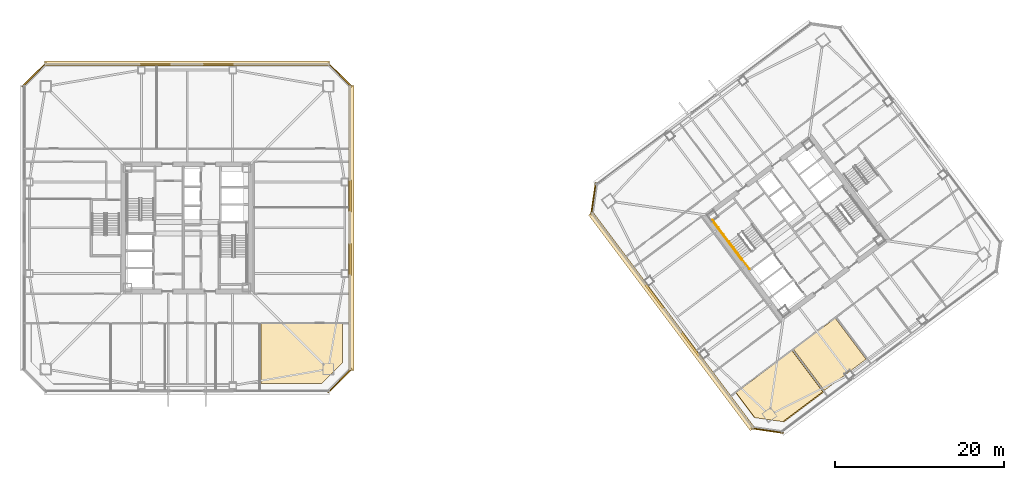
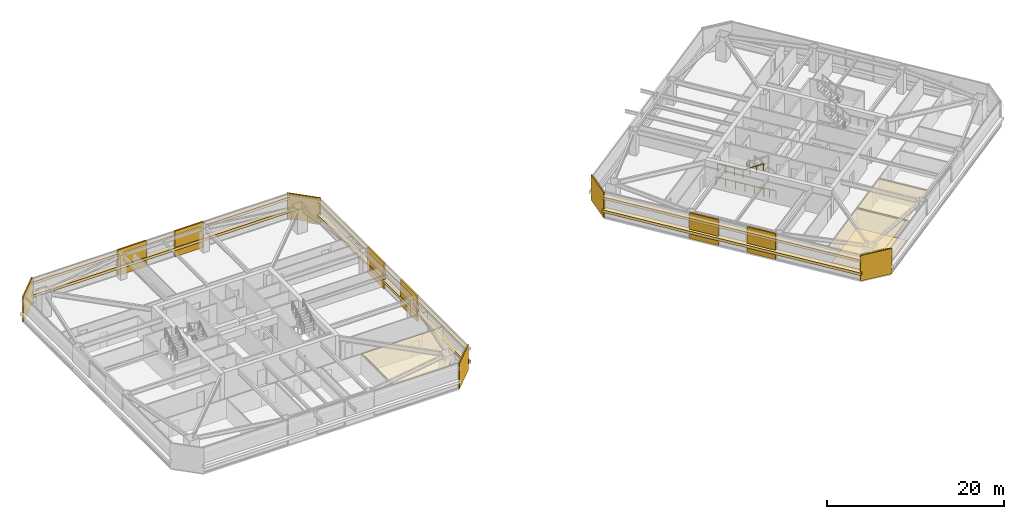
# One storey, part 39 of 42: 21 coverings, 4 railings.
"""IFC4 building model written with IfcOpenShell, lengths in metres."""

from ifc_helpers import new_model, si_unit, direction, frame, origin, origin_2d, place, context, subcontext, project, spatial, polyline, rectangle, outline, extrude, material, layer, layer_set, type_object, element, save


model = new_model("IFC4")

# Units and contexts
model_context = context("Model", 3, precision=1e-05, world=origin(), true_north=direction((0.0, 1.0)))
body_context = subcontext(model_context, "Body", "Model", "MODEL_VIEW")
ifc_project = project(units=[si_unit("LENGTHUNIT", "METRE"), si_unit("AREAUNIT", "SQUARE_METRE"), si_unit("VOLUMEUNIT", "CUBIC_METRE"), si_unit("PLANEANGLEUNIT", "RADIAN"), si_unit("MASSUNIT", "GRAM", prefix="KILO")], contexts=[model_context])

# Site, building, storey
site_placement = place(None, origin())
site = spatial("IfcSite", under=ifc_project, at=site_placement, CompositionType="ELEMENT")
building_placement = place(site_placement, origin())
building = spatial("IfcBuilding", under=site, at=building_placement, Name="Tashvorn Skyway Center", CompositionType="ELEMENT")
storey_placement = place(building_placement, frame((0.0, 0.0, 121.5)))
storey = spatial("IfcBuildingStorey", under=building, at=storey_placement, Name="L32", CompositionType="ELEMENT", Elevation=121.5)

# Coverings
ifc_material_1 = material(Name="Precast concrete C40/50", Category="concrete")
ifc_layer_1 = layer(ifc_material_1, 0.199951171875)
ifc_layer_set_1 = layer_set([ifc_layer_1], Name="Precast concrete C40/50")
covering_type_1 = type_object("IfcCoveringType", Name="COV-BRACE-CLAD", PredefinedType="CLADDING", material=ifc_layer_set_1)
for number, where, z_axis, x_axis, name in (
    (1, (38.271240234375, 51.280029296875, 0.0), (0.0, 0.0, 1.0), (1.0, 0.0, 0.0), "Tower 1 L32 North Unitised Curtain Wall Mega-Brace Cladding Band 1"),
    (2, (45.728759765625, 51.280029296875, 0.0), (0.0, 0.0, 1.0), (1.0, 0.0, 0.0), "Tower 1 L32 North Unitised Curtain Wall Mega-Brace Cladding Band 2"),
    (3, (61.280029296875, 35.728759765625, 0.0), (0.0, 0.0, 1.0), (0.0, -1.0, 0.0), "Tower 1 L32 East Unitised Curtain Wall Mega-Brace Cladding Band 1"),
    (4, (61.280029296875, 28.271240234375, 0.0), (0.0, 0.0, 1.0), (0.0, -1.0, 0.0), "Tower 1 L32 East Unitised Curtain Wall Mega-Brace Cladding Band 2"),
):
    element("IfcCovering", number, at=place(storey_placement, frame(where, z_axis=z_axis, x_axis=x_axis)), inside=storey, type_object=covering_type_1, Name=name, PredefinedType="CLADDING", context=body_context, shape_type="SweptSolid", body=[
        extrude(rectangle(XDim=3.72900390625, YDim=0.199951171875, at=origin_2d()), origin(), (0.0, 0.0, 1.0), 3.550048828125),
    ])
for number, where, z_axis, x_axis, name in (
    (5, (101.493408203125, 18.208740234375, 0.0), (0.0, 0.0, 1.0), (-0.600000004945, 0.799999996291, 0.0), "Tower 2 L32 West Unitised Curtain Wall Mega-Brace Cladding Band 1"),
    (6, (97.258544921875, 23.855224609375, 0.0), (0.0, 0.0, 1.0), (-0.600000004945, 0.799999996291, 0.0), "Tower 2 L32 West Unitised Curtain Wall Mega-Brace Cladding Band 2"),
):
    element("IfcCovering", number, at=place(storey_placement, frame(where, z_axis=z_axis, x_axis=x_axis)), inside=storey, type_object=covering_type_1, Name=name, PredefinedType="CLADDING", context=body_context, shape_type="SweptSolid", body=[
        extrude(rectangle(XDim=3.52880859375, YDim=0.199951171875, at=origin_2d()), origin(), (0.0, 0.0, 1.0), 3.550048828125),
    ])
ifc_material_2 = material(Name="Mineral-fibre acoustic ceiling tile on suspended grid")
ifc_layer_2 = layer(ifc_material_2, 0.02001953125)
ifc_layer_set_2 = layer_set([ifc_layer_2], Name="Mineral-fibre acoustic ceiling tile on suspended grid")
covering_type_2 = type_object("IfcCoveringType", Name="COV-CEIL-20", PredefinedType="CEILING", material=ifc_layer_set_2)
covering_1_placement = place(storey_placement, frame((0.0, 0.0, 2.702880859375)))
element("IfcCovering", 7, at=covering_1_placement, inside=storey, type_object=covering_type_2, Name="Tower 1 L32 Open Plan Office Acoustic Ceiling", PredefinedType="CEILING", context=body_context, shape_type="SweptSolid", body=[
    extrude(outline(polyline([(50.719970703125, 13.6201171875), (50.719970703125, 20.68994140625), (60.3798828125, 20.68994140625), (60.3798828125, 16.080078125), (57.919921875, 13.6201171875), (50.719970703125, 13.6201171875)])), origin(), (0.0, 0.0, 1.0), 0.02001953125),
])
covering_2_placement = place(storey_placement, frame((0.0, 0.0, 2.702880859375)))
element("IfcCovering", 8, at=covering_2_placement, inside=storey, type_object=covering_type_2, Name="Tower 2 L32 Executive Study Lounge Acoustic Ceiling", PredefinedType="CEILING", context=body_context, shape_type="SweptSolid", body=[
    extrude(outline(polyline([(106.882080078125, 12.52392578125), (113.489990234375, 17.47998046875), (117.132080078125, 12.6240234375), (112.412109375, 9.083984375), (109.10791015625, 9.555908203125), (106.882080078125, 12.52392578125)])), origin(), (0.0, 0.0, 1.0), 0.02001953125),
])
covering_3_placement = place(storey_placement, frame((0.0, 0.0, 2.702880859375)))
element("IfcCovering", 9, at=covering_3_placement, inside=storey, type_object=covering_type_2, Name="Tower 2 L32 Design Studio Acoustic Ceiling", PredefinedType="CEILING", context=body_context, shape_type="SweptSolid", body=[
    extrude(outline(polyline([(113.681884765625, 17.6240234375), (118.610107421875, 21.320068359375), (122.251953125, 16.464111328125), (117.323974609375, 12.76806640625), (113.681884765625, 17.6240234375)])), origin(), (0.0, 0.0, 1.0), 0.02001953125),
])
ifc_material_3 = material(Name="Polished Mojave desert-aggregate terrazzo and cover plate")
ifc_layer_3 = layer(ifc_material_3, 0.0400390625)
ifc_layer_set_3 = layer_set([ifc_layer_3], Name="Polished Mojave desert-aggregate terrazzo and cover plate")
covering_type_3 = type_object("IfcCoveringType", Name="COV-FLR-40", PredefinedType="FLOORING", material=ifc_layer_set_3)
covering_4_placement = place(storey_placement, origin())
element("IfcCovering", 10, at=covering_4_placement, inside=storey, type_object=covering_type_3, Name="Tower 2 L32 Executive Study Lounge Finish Flooring", PredefinedType="FLOORING", context=body_context, shape_type="SweptSolid", body=[
    extrude(outline(polyline([(112.580078125, 9.06005859375), (109.052001953125, 9.56396484375), (106.8740234375, 12.468017578125), (113.5458984375, 17.471923828125), (117.236083984375, 12.552001953125), (112.580078125, 9.06005859375)])), origin(), (0.0, 0.0, 1.0), 0.0400390625),
])
ifc_material_4 = material(Name="Perforated ceramic-coated bronze aluminium solar screen", Category="aluminium")
ifc_layer_4 = layer(ifc_material_4, 0.85009765625)
ifc_layer_set_4 = layer_set([ifc_layer_4], Name="Perforated ceramic-coated bronze aluminium solar screen")
covering_type_4 = type_object("IfcCoveringType", Name="COV-SOLAR-BAND", PredefinedType="CLADDING", material=ifc_layer_set_4)
for number, where, z_axis, x_axis, name in (
    (11, (42.0, 51.419921875, 0.919921875), (0.0, 0.0, 1.0), (1.0, 0.0, 0.0), "L32 Perforated Ceramic-Metal Solar Screen Louvre Band North 1"),
    (12, (42.0, 51.419921875, 2.7197265625), (0.0, 0.0, 1.0), (1.0, 0.0, 0.0), "L32 Perforated Ceramic-Metal Solar Screen Louvre Band North 2"),
    (13, (61.419921875, 32.0, 0.919921875), (0.0, 0.0, 1.0), (0.0, -1.0, 0.0), "L32 Perforated Ceramic-Metal Solar Screen Louvre Band East 1"),
    (14, (61.419921875, 32.0, 2.7197265625), (0.0, 0.0, 1.0), (0.0, -1.0, 0.0), "L32 Perforated Ceramic-Metal Solar Screen Louvre Band East 2"),
):
    element("IfcCovering", number, at=place(storey_placement, frame(where, z_axis=z_axis, x_axis=x_axis)), inside=storey, type_object=covering_type_4, Name=name, PredefinedType="CLADDING", context=body_context, shape_type="SweptSolid", body=[
        extrude(rectangle(XDim=33.679931640625, YDim=0.639892578125, at=origin_2d()), origin(), (0.0, 0.0, 1.0), 0.360107421875),
    ])
for number, where, z_axis, x_axis, name in (
    (15, (99.263916015625, 20.947998046875, 0.919921875), (0.0, 0.0, 1.0), (-0.600000004945, 0.799999996291, 0.0), "L32 Perforated Ceramic-Metal Solar Screen Louvre Band West 1"),
    (16, (99.263916015625, 20.947998046875, 2.7197265625), (0.0, 0.0, 1.0), (-0.600000004945, 0.799999996291, 0.0), "L32 Perforated Ceramic-Metal Solar Screen Louvre Band West 2"),
):
    element("IfcCovering", number, at=place(storey_placement, frame(where, z_axis=z_axis, x_axis=x_axis)), inside=storey, type_object=covering_type_4, Name=name, PredefinedType="CLADDING", context=body_context, shape_type="SweptSolid", body=[
        extrude(rectangle(XDim=31.8798828125, YDim=0.639892578125, at=origin_2d()), origin(), (0.0, 0.0, 1.0), 0.360107421875),
    ])
ifc_layer_5 = layer(ifc_material_1, 0.35009765625)
ifc_layer_set_5 = layer_set([ifc_layer_5], Name="Precast concrete C40/50")
covering_type_5 = type_object("IfcCoveringType", Name="COV-STONE-TRIM", PredefinedType="CLADDING", material=ifc_layer_set_5)
for number, where, z_axis, x_axis, name in (
    (17, (23.929931640625, 50.070068359375, 0.02001953125), (0.0, 0.0, 1.0), (-0.707106781187, -0.707106781187, 0.0), "Tower 1 L32 NW Mojave Limestone Corner Quoin"),
    (18, (60.070068359375, 50.070068359375, 0.02001953125), (0.0, 0.0, 1.0), (0.707106781187, -0.707106781187, 0.0), "Tower 1 L32 NE Mojave Limestone Corner Quoin"),
    (19, (60.070068359375, 13.929931640625, 0.02001953125), (0.0, 0.0, 1.0), (0.707106781187, 0.707106781187, 0.0), "Tower 1 L32 SE Mojave Limestone Corner Quoin"),
):
    element("IfcCovering", number, at=place(storey_placement, frame(where, z_axis=z_axis, x_axis=x_axis)), inside=storey, type_object=covering_type_5, Name=name, PredefinedType="CLADDING", context=body_context, shape_type="SweptSolid", body=[
        extrude(rectangle(XDim=3.978515625, YDim=0.139892578125, at=origin_2d()), origin(), (0.0, 0.0, 1.0), 3.510009765625),
    ])
for number, where, z_axis, x_axis, name in (
    (20, (110.575927734375, 8.031982421875, 0.02001953125), (0.0, 0.0, 1.0), (-0.989949494535, 0.141421350118, 0.0), "Tower 2 L32 SW Mojave Limestone Corner Quoin"),
    (21, (90.031982421875, 35.424072265625, 0.02001953125), (0.0, 0.0, 1.0), (-0.141421350118, -0.989949494535, 0.0), "Tower 2 L32 NW Mojave Limestone Corner Quoin"),
):
    element("IfcCovering", number, at=place(storey_placement, frame(where, z_axis=z_axis, x_axis=x_axis)), inside=storey, type_object=covering_type_5, Name=name, PredefinedType="CLADDING", context=body_context, shape_type="SweptSolid", body=[
        extrude(rectangle(XDim=3.8369140625, YDim=0.139892578125, at=origin_2d()), origin(), (0.0, 0.0, 1.0), 3.510009765625),
    ])

# Railings
ifc_material_5 = material(Name="Brushed stainless steel 316", Category="steel")
railing_type_1 = type_object("IfcRailingType", Name="RAIL-HAND-920", PredefinedType="HANDRAIL", material=ifc_material_5)
railing_1_placement = place(storey_placement, frame((106.072021484375, 30.35400390625, 1.952392578125)))
element("IfcRailing", 22, at=railing_1_placement, inside=storey, type_object=railing_type_1, Name="L32 ST-T2-1 stair handrail 2", PredefinedType="HANDRAIL", context=body_context, shape_type="SweptSolid", body=[
    extrude(rectangle(XDim=0.048095703125, YDim=0.048095703125, at=origin_2d()), frame((0.0, 0.0, 0.8759765625), z_axis=(0.506718600913, -0.675679348675, 0.535437836974), x_axis=(0.800023250257, 0.599968998406, 0.0)), (0.0, 0.0, 1.0), 2.98388671875),
    extrude(rectangle(XDim=0.0419921875, YDim=0.0419921875, at=origin_2d()), origin(), (0.0, 0.0, 1.0), 0.851806640625),
    extrude(rectangle(XDim=0.0419921875, YDim=0.0419921875, at=origin_2d()), frame((0.50390625, -0.672119140625, 0.532470703125)), (0.0, 0.0, 1.0), 0.851806640625),
    extrude(rectangle(XDim=0.0419921875, YDim=0.0419921875, at=origin_2d()), frame((1.008056640625, -1.343994140625, 1.065185546875)), (0.0, 0.0, 1.0), 0.851806640625),
    extrude(rectangle(XDim=0.0419921875, YDim=0.0419921875, at=origin_2d()), frame((1.511962890625, -2.01611328125, 1.59765625)), (0.0, 0.0, 1.0), 0.851806640625),
])
ifc_material_6 = material(Name="Painted galvanized steel S355", Category="steel")
railing_type_2 = type_object("IfcRailingType", Name="RAIL-STGUARD-1100", PredefinedType="GUARDRAIL", material=ifc_material_6)
railing_2_placement = place(storey_placement, frame((106.072021484375, 30.35400390625, 1.77490234375)))
element("IfcRailing", 23, at=railing_2_placement, inside=storey, type_object=railing_type_2, Name="L32 ST-T2-1 stair guard 3", PredefinedType="GUARDRAIL", context=body_context, shape_type="SweptSolid", body=[
    extrude(rectangle(XDim=0.048095703125, YDim=0.048095703125, at=origin_2d()), frame((0.0, 0.0, 1.076171875), z_axis=(-0.599987638607, 0.800009270896, 0.0), x_axis=(-0.800009270896, -0.599987638607, 0.0)), (0.0, 0.0, 1.0), 3.16015625),
    extrude(rectangle(XDim=0.0419921875, YDim=0.0419921875, at=origin_2d()), origin(), (0.0, 0.0, 1.0), 1.052001953125),
    extrude(rectangle(XDim=0.0419921875, YDim=0.0419921875, at=origin_2d()), frame((-0.632080078125, 0.8427734375, 0.0)), (0.0, 0.0, 1.0), 1.052001953125),
    extrude(rectangle(XDim=0.0419921875, YDim=0.0419921875, at=origin_2d()), frame((-1.263916015625, 1.685302734375, 0.0)), (0.0, 0.0, 1.0), 1.052001953125),
    extrude(rectangle(XDim=0.0419921875, YDim=0.0419921875, at=origin_2d()), frame((-1.89599609375, 2.528076171875, 0.0)), (0.0, 0.0, 1.0), 1.052001953125),
])
railing_3_placement = place(storey_placement, frame((108.49609375, 27.1220703125, 0.0)))
element("IfcRailing", 24, at=railing_3_placement, inside=storey, type_object=railing_type_2, Name="L32 ST-T2-1 stair guard 6", PredefinedType="GUARDRAIL", context=body_context, shape_type="SweptSolid", body=[
    extrude(rectangle(XDim=0.048095703125, YDim=0.048095703125, at=origin_2d()), frame((0.0, 0.0, 1.076171875), z_axis=(-0.600102796382, 0.799922892393, 0.0), x_axis=(-0.799922892393, -0.600102796382, 0.0)), (0.0, 0.0, 1.0), 1.52001953125),
    extrude(rectangle(XDim=0.0419921875, YDim=0.0419921875, at=origin_2d()), origin(), (0.0, 0.0, 1.0), 1.052001953125),
    extrude(rectangle(XDim=0.0419921875, YDim=0.0419921875, at=origin_2d()), frame((-0.4560546875, 0.60791015625, 0.0)), (0.0, 0.0, 1.0), 1.052001953125),
    extrude(rectangle(XDim=0.0419921875, YDim=0.0419921875, at=origin_2d()), frame((-0.912109375, 1.2158203125, 0.0)), (0.0, 0.0, 1.0), 1.052001953125),
])
railing_4_placement = place(storey_placement, frame((107.56396484375, 28.197998046875, 0.0)))
element("IfcRailing", 25, at=railing_4_placement, inside=storey, type_object=railing_type_2, Name="L32 ST-T2-1 stair guard 7", PredefinedType="GUARDRAIL", context=body_context, shape_type="SweptSolid", body=[
    extrude(rectangle(XDim=0.048095703125, YDim=0.048095703125, at=origin_2d()), frame((0.0, 0.0, 1.076171875), z_axis=(-0.6, 0.8, 0.0), x_axis=(-0.8, -0.6, 0.0)), (0.0, 0.0, 1.0), 5.880126953125),
    extrude(rectangle(XDim=0.0419921875, YDim=0.0419921875, at=origin_2d()), origin(), (0.0, 0.0, 1.0), 1.052001953125),
    extrude(rectangle(XDim=0.0419921875, YDim=0.0419921875, at=origin_2d()), frame((-0.70556640625, 0.94091796875, 0.0)), (0.0, 0.0, 1.0), 1.052001953125),
    extrude(rectangle(XDim=0.0419921875, YDim=0.0419921875, at=origin_2d()), frame((-1.4111328125, 1.881591796875, 0.0)), (0.0, 0.0, 1.0), 1.052001953125),
    extrude(rectangle(XDim=0.0419921875, YDim=0.0419921875, at=origin_2d()), frame((-2.116943359375, 2.822509765625, 0.0)), (0.0, 0.0, 1.0), 1.052001953125),
    extrude(rectangle(XDim=0.0419921875, YDim=0.0419921875, at=origin_2d()), frame((-2.822509765625, 3.76318359375, 0.0)), (0.0, 0.0, 1.0), 1.052001953125),
    extrude(rectangle(XDim=0.0419921875, YDim=0.0419921875, at=origin_2d()), frame((-3.528076171875, 4.7041015625, 0.0)), (0.0, 0.0, 1.0), 1.052001953125),
])

save(model, "model.ifc")
